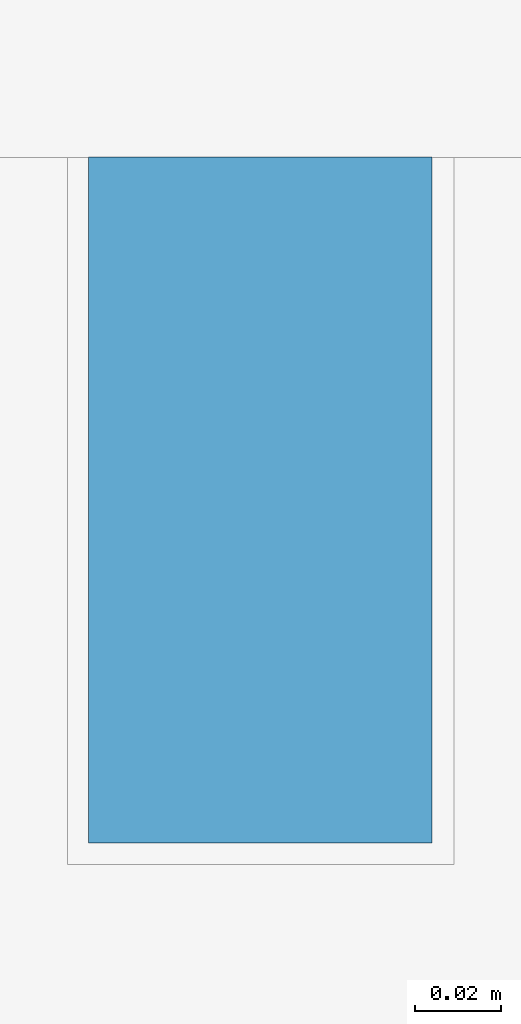
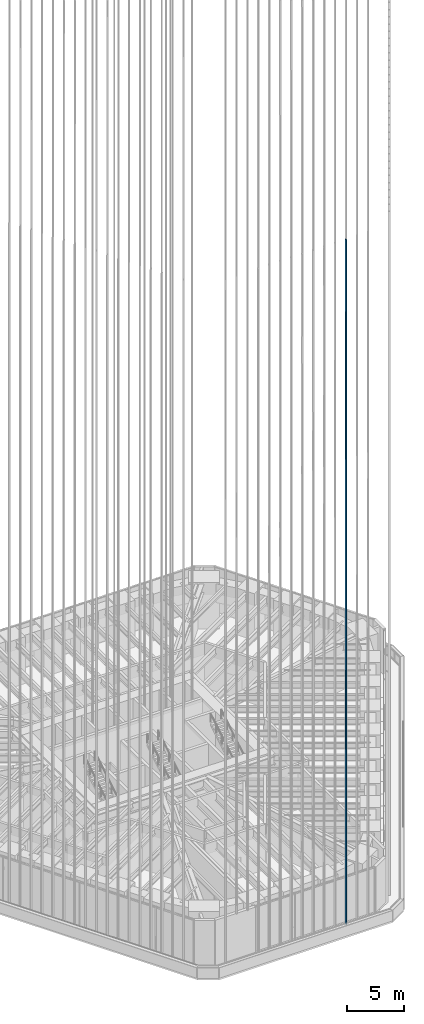
# One storey, part 71 of 228: 1 member, 1 element without a shape of its own.
"""IFC4 building model written with IfcOpenShell, lengths in metres."""

from ifc_helpers import new_model, si_unit, direction, frame, origin, origin_2d, place, context, subcontext, project, spatial, rectangle, extrude, material, material_profile, profile_set, type_object, element, aggregate, save


model = new_model("IFC4")

# Units and contexts
model_context = context("Model", 3, precision=1e-05, world=origin(), true_north=direction((0.0, 1.0)))
body_context = subcontext(model_context, "Body", "Model", "MODEL_VIEW")
ifc_project = project(units=[si_unit("LENGTHUNIT", "METRE"), si_unit("AREAUNIT", "SQUARE_METRE"), si_unit("VOLUMEUNIT", "CUBIC_METRE"), si_unit("PLANEANGLEUNIT", "RADIAN"), si_unit("MASSUNIT", "GRAM", prefix="KILO")], contexts=[model_context])

# Site, building, storey
site_placement = place(None, origin())
site = spatial("IfcSite", under=ifc_project, at=site_placement, CompositionType="ELEMENT")
building_placement = place(site_placement, origin())
building = spatial("IfcBuilding", under=site, at=building_placement, Name="Sandreach Pilgrim Tower", CompositionType="ELEMENT")
storey_placement = place(building_placement, frame((0.0, 0.0, 178.199951171875)))
storey = spatial("IfcBuildingStorey", under=building, at=storey_placement, Name="L44", CompositionType="ELEMENT", Elevation=178.199951171875)

# Curtain wall, member
ifc_material_1 = material(Name="Aluminium framed curtain wall", Category="aluminium")
curtain_wall_type = type_object("IfcCurtainWallType", Name="Upper hotel tower curtain wall", PredefinedType="NOTDEFINED", material=ifc_material_1)
curtain_wall_placement = place(storey_placement, origin())
curtain_wall = element("IfcCurtainWall", 1, at=curtain_wall_placement, inside=storey, type_object=curtain_wall_type, Name="CW-3 L44 SA", PredefinedType="NOTDEFINED")
ifc_material_2 = material(Name="Extruded terracotta on aluminium core", Category="masonry")
ifc_material_profile = material_profile(ifc_material_2, rectangle(XDim=0.080078125, YDim=0.159912109375, at=origin_2d()), Name="TBS 80X160")
ifc_profile_set = profile_set([ifc_material_profile], Name="Extruded terracotta on aluminium core")
member_type = type_object("IfcMemberType", Name="Terracotta baguette south", PredefinedType="USERDEFINED", material=ifc_profile_set)
member_placement = place(storey_placement, frame((4.989990234375, -26.905029296875, 0.0), z_axis=(0.0, 0.0, 1.0), x_axis=(-1.0, 0.0, 0.0)))
member = element("IfcMember", 2, at=member_placement, type_object=member_type, Name="Baguette Z3 S03", ObjectType="BAGUETTE", PredefinedType="USERDEFINED", context=body_context, shape_type="SweptSolid", body=[
    extrude(rectangle(XDim=0.080078125, YDim=0.159912109375, at=origin_2d()), origin(), (0.0, 0.0, 1.0), 73.239990234375),
])
aggregate(curtain_wall, [member])

save(model, "model.ifc")
